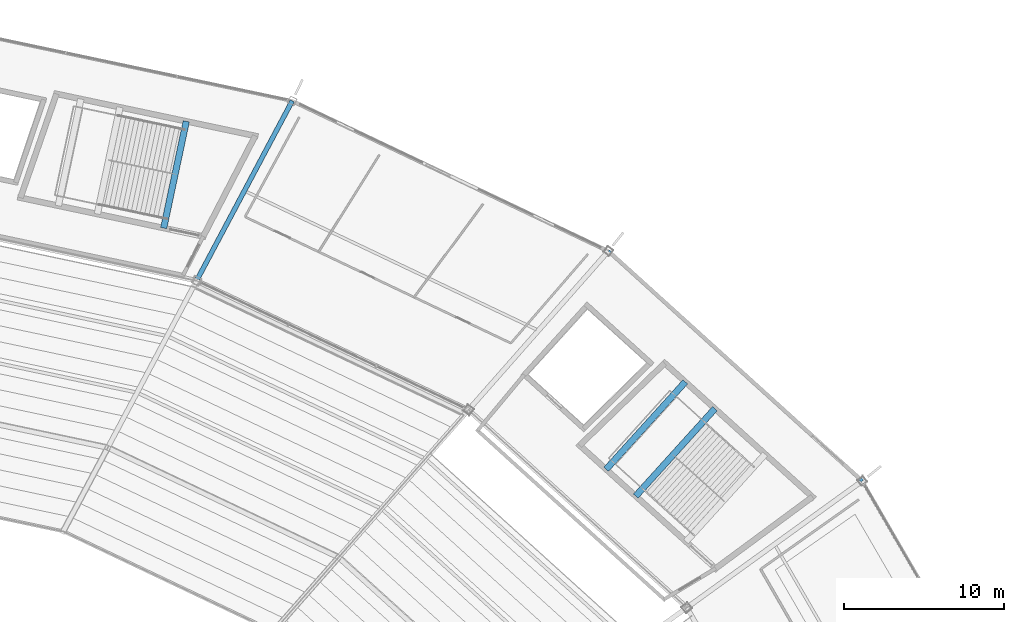
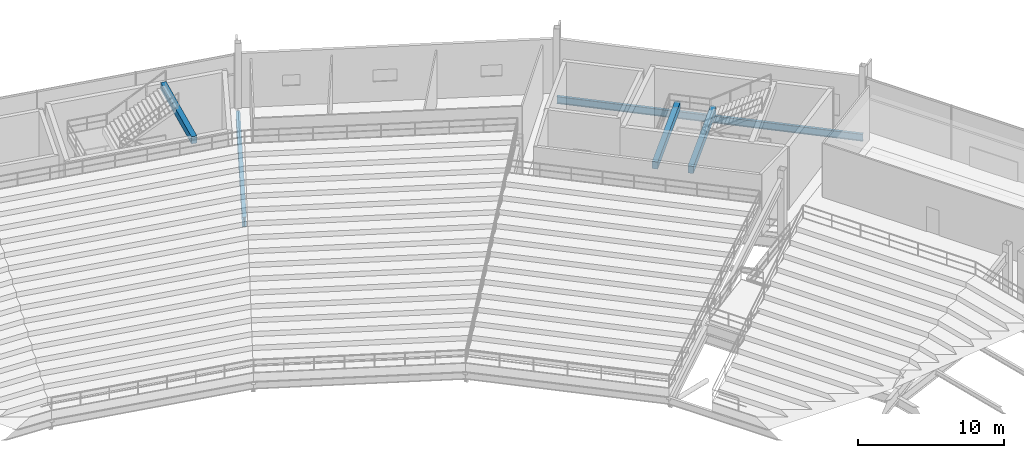
# One storey, part 116 of 186: 5 beams.
"""IFC4 building model written with IfcOpenShell, lengths in metres."""

import ifcopenshell
import ifcopenshell.guid

model = None  # the IFC model being written
_history = None  # IfcOwnerHistory: only IFC2X3 demands one
_inside = {}  # id of a spatial element -> (the spatial element, [elements in it])
_under = {}  # id of a project, library or spatial element -> (it, [spatial elements below it])
_declared = {}  # id of a project -> (the project, [libraries it declares])
_typed = {}  # id of a type object -> (the type object, [elements of that type])
_made_of = {}  # id of a material, layer set ... -> (it, [elements and type objects made of it])


def new_model(schema):
    """Start an empty IFC model of exactly this schema.

    Asked for "IFC4X3", IfcOpenShell would pick the latest addendum, in which some entities
    have other attributes; the version numbers below select the first issue.
    IFC2X3 requires an IfcOwnerHistory on every rooted entity: one is made here for all.
    """
    global model, _history
    if schema == "IFC4X3":
        model = ifcopenshell.file(schema_version=(4, 3, 0, 0))
    else:
        model = ifcopenshell.file(schema=schema)
    _inside.clear()
    _under.clear()
    _declared.clear()
    _typed.clear()
    _made_of.clear()
    _history = None
    if model.schema == "IFC2X3":
        org = make("IfcOrganization", Name="unknown")
        user = make(
            "IfcPersonAndOrganization",
            ThePerson=make("IfcPerson", FamilyName="unknown"),
            TheOrganization=org,
        )
        app = make(
            "IfcApplication",
            ApplicationDeveloper=org,
            Version="unknown",
            ApplicationFullName="unknown",
            ApplicationIdentifier="unknown",
        )
        _history = make(
            "IfcOwnerHistory",
            OwningUser=user,
            OwningApplication=app,
            ChangeAction="ADDED",
            CreationDate=0,
        )
    return model


def make(cls, **values):
    """One entity of the class cls with the attributes given. An attribute that is None is left unset."""
    return model.create_entity(
        cls, **{name: value for name, value in values.items() if value is not None}
    )


def rooted(cls, **values):
    """An entity with a GlobalId (a new one), such as an element, a storey or a relation."""
    return make(cls, GlobalId=ifcopenshell.guid.new(), OwnerHistory=_history, **values)


def si_unit(unit_type, name, prefix=None):
    """IfcSIUnit, for example si_unit("LENGTHUNIT", "METRE", prefix="MILLI")."""
    return make("IfcSIUnit", UnitType=unit_type, Prefix=prefix, Name=name)


def assignment(units):
    """IfcUnitAssignment: the units of a project."""
    return None if units is None else make("IfcUnitAssignment", Units=units)


def point(xyz):
    """IfcCartesianPoint."""
    return None if xyz is None else make("IfcCartesianPoint", Coordinates=xyz)


def direction(xyz):
    """IfcDirection."""
    return None if xyz is None else make("IfcDirection", DirectionRatios=xyz)


def frame(location, z_axis=None, x_axis=None):
    """IfcAxis2Placement3D, a coordinate frame: its origin and axes. An axis left out is left unset."""
    return make(
        "IfcAxis2Placement3D",
        Location=point(location),
        Axis=direction(z_axis),
        RefDirection=direction(x_axis),
    )


def frame_2d(location, x_axis=None):
    """IfcAxis2Placement2D, a coordinate frame in the plane: its origin and x axis."""
    return make(
        "IfcAxis2Placement2D", Location=point(location), RefDirection=direction(x_axis)
    )


def origin():
    """The frame at (0, 0, 0) with its axes left unset."""
    return frame((0.0, 0.0, 0.0))


def origin_2d():
    """The frame at (0, 0) in the plane with its x axis left unset."""
    return frame_2d((0.0, 0.0))


def place(relative_to, where):
    """IfcLocalPlacement: puts the frame where relative to a parent placement (None: the world)."""
    return make(
        "IfcLocalPlacement", PlacementRelTo=relative_to, RelativePlacement=where
    )


def context(
    kind, dimensions, precision=None, world=None, true_north=None, identifier=None
):
    """IfcGeometricRepresentationContext, for example the 3D "Model" context."""
    return make(
        "IfcGeometricRepresentationContext",
        ContextIdentifier=identifier,
        ContextType=kind,
        CoordinateSpaceDimension=dimensions,
        Precision=precision,
        WorldCoordinateSystem=world,
        TrueNorth=true_north,
    )


def subcontext(parent, identifier, kind, view, scale=None):
    """IfcGeometricRepresentationSubContext, for example "Body" below "Model"."""
    return make(
        "IfcGeometricRepresentationSubContext",
        ContextIdentifier=identifier,
        ContextType=kind,
        ParentContext=parent,
        TargetScale=scale,
        TargetView=view,
    )


def project(units=None, contexts=None):
    """IfcProject with its units and contexts."""
    return rooted(
        "IfcProject",
        Name="project",
        RepresentationContexts=contexts,
        UnitsInContext=assignment(units),
    )


def spatial(cls, under=None, at=None, **own):
    """A site, building, storey or space (cls), placed at a placement, below another one or the project."""
    s = rooted(cls, ObjectPlacement=at, **own)
    if under is not None:
        _under.setdefault(under.id(), (under, []))[1].append(s)
    return s


def profile(cls, at=None, kind="AREA", **sizes):
    """A parametric profile (cls). Its sizes go by their IFC names, for example OverallWidth=200.0."""
    return make(cls, ProfileType=kind, Position=at, **sizes)


def rectangle(**sizes):
    """IfcRectangleProfileDef."""
    return profile("IfcRectangleProfileDef", **sizes)


def i_section(**sizes):
    """IfcIShapeProfileDef."""
    return profile("IfcIShapeProfileDef", **sizes)


def extrude(swept, where, along, depth):
    """IfcExtrudedAreaSolid: the profile swept, set in the frame where, extruded along a direction by depth."""
    return make(
        "IfcExtrudedAreaSolid",
        SweptArea=swept,
        Position=where,
        ExtrudedDirection=direction(along),
        Depth=depth,
    )


def shape(context_of_items, identifier, shape_type, items):
    """IfcShapeRepresentation: the items that make up one representation, for example the "Body"."""
    return make(
        "IfcShapeRepresentation",
        ContextOfItems=context_of_items,
        RepresentationIdentifier=identifier,
        RepresentationType=shape_type,
        Items=items,
    )


def material(Name=None, Category=None):
    """IfcMaterial."""
    return make("IfcMaterial", Name=Name, Category=Category)


def material_profile(
    of_material, cross_section, Name=None, Category=None, Priority=None
):
    """IfcMaterialProfile: a cross section and its material."""
    return make(
        "IfcMaterialProfile",
        Name=Name,
        Material=of_material,
        Profile=cross_section,
        Priority=Priority,
        Category=Category,
    )


def profile_set(profiles, Name=None, composite=None):
    """IfcMaterialProfileSet."""
    return make(
        "IfcMaterialProfileSet",
        Name=Name,
        MaterialProfiles=profiles,
        CompositeProfile=composite,
    )


def made_of(thing, what):
    """Note that an element or type object is made of a material, layer set ...; save() writes the relation."""
    if what is not None:
        _made_of.setdefault(what.id(), (what, []))[1].append(thing)
    return thing


def type_object(cls, material=None, **own):
    """A type object (cls), such as IfcWallType, which elements share."""
    return made_of(rooted(cls, **own), material)


def element(
    cls,
    number,
    at=None,
    inside=None,
    cuts=None,
    type_object=None,
    material=None,
    context=None,
    identifier="Body",
    shape_type=None,
    held_by="IfcProductDefinitionShape",
    body=None,
    shapes=None,
    **own,
):
    """One element of the class cls, such as IfcWall. Its Tag is "e" and its number.

    at: its placement. inside: the storey or other place that contains it. cuts: it is an
    opening in that element (IfcRelVoidsElement). A single representation is given by context,
    identifier, shape_type and body (its items); several are given by shapes. held_by: the class
    of the entity that holds the representations. save() writes the other relations.
    """
    e = rooted(cls, Tag="e%d" % number, ObjectPlacement=at, **own)
    if body is not None:
        shapes = [shape(context, identifier, shape_type, body)]
    if shapes is not None:
        e.Representation = make(held_by, Representations=shapes)
    if inside is not None:
        _inside.setdefault(inside.id(), (inside, []))[1].append(e)
    if cuts is not None:
        rooted(
            "IfcRelVoidsElement", RelatingBuildingElement=cuts, RelatedOpeningElement=e
        )
    if type_object is not None:
        _typed.setdefault(type_object.id(), (type_object, []))[1].append(e)
    return made_of(e, material)


def aggregate(whole, parts):
    """IfcRelAggregates: a whole, such as a stair, and the parts it consists of."""
    return rooted("IfcRelAggregates", RelatingObject=whole, RelatedObjects=parts)


def save(model, path):
    """Write the relations noted so far, then the file.

    IfcRelAggregates (storeys below a building ...), IfcRelContainedInSpatialStructure (elements
    in a storey), IfcRelDefinesByType, IfcRelAssociatesMaterial and IfcRelDeclares: one each for
    every whole, place, type object, material and project.
    """
    for whole, parts in _under.values():
        aggregate(whole, parts)
    for where, things in _inside.values():
        rooted(
            "IfcRelContainedInSpatialStructure",
            RelatedElements=things,
            RelatingStructure=where,
        )
    for kind, things in _typed.values():
        rooted("IfcRelDefinesByType", RelatedObjects=things, RelatingType=kind)
    for what, things in _made_of.values():
        rooted("IfcRelAssociatesMaterial", RelatedObjects=things, RelatingMaterial=what)
    for by, libraries in _declared.values():
        rooted("IfcRelDeclares", RelatingContext=by, RelatedDefinitions=libraries)
    model.write(path)


model = new_model("IFC4")

# Units and contexts
model_context = context("Model", 3, precision=1e-05, world=origin(), true_north=direction((0.0, 1.0)))
body_context = subcontext(model_context, "Body", "Model", "MODEL_VIEW")
ifc_project = project(units=[si_unit("LENGTHUNIT", "METRE"), si_unit("AREAUNIT", "SQUARE_METRE"), si_unit("VOLUMEUNIT", "CUBIC_METRE"), si_unit("PLANEANGLEUNIT", "RADIAN"), si_unit("MASSUNIT", "GRAM", prefix="KILO")], contexts=[model_context])

# Site, building, storey
site_placement = place(None, origin())
site = spatial("IfcSite", under=ifc_project, at=site_placement, CompositionType="ELEMENT")
building_placement = place(site_placement, origin())
building = spatial("IfcBuilding", under=site, at=building_placement, Name="Kazemori Nagisa Stadium", CompositionType="ELEMENT")
storey_placement = place(building_placement, frame((0.0, 0.0, 20.39990234375)))
storey = spatial("IfcBuildingStorey", under=building, at=storey_placement, Name="L04", CompositionType="ELEMENT", Elevation=20.39990234375)

# Beams
ifc_material_1 = material(Name="Steel SN490B", Category="steel")
ifc_material_profile_1 = material_profile(ifc_material_1, i_section(OverallWidth=0.300048828125, OverallDepth=0.800048828125, WebThickness=0.013916015625, FlangeThickness=0.02587890625, FilletRadius=0.01806640625, at=origin_2d()), Name="H-800x300x14x26")
ifc_profile_set_1 = profile_set([ifc_material_profile_1], Name="Steel SN490B")
beam_type_1 = type_object("IfcBeamType", Name="Beam_BG-H800", PredefinedType="BEAM", material=ifc_profile_set_1)
beam_1_placement = place(storey_placement, frame((159.81201171875, 171.19921875, -0.699951171875), z_axis=(0.469648511848, 0.882853484628, 0.0), x_axis=(-0.882853484628, 0.469648511848, 0.0)))
element("IfcBeam", 1, at=beam_1_placement, inside=storey, type_object=beam_type_1, Name="Radial girder BG-H800 L04 R2-R3-06", PredefinedType="BEAM", context=body_context, shape_type="SweptSolid", body=[
    extrude(i_section(OverallWidth=0.300048828125, OverallDepth=0.800048828125, WebThickness=0.013916015625, FlangeThickness=0.02587890625, FilletRadius=0.01806640625, at=origin_2d()), origin(), (0.0, 0.0, 1.0), 12.760009765625),
])
ifc_material_2 = material(Name="Concrete C40/50 (Fc42)", Category="concrete")
ifc_material_profile_2 = material_profile(ifc_material_2, rectangle(XDim=0.39990234375, YDim=0.60009765625, at=origin_2d()), Name="RC-BM-400x600")
ifc_profile_set_2 = profile_set([ifc_material_profile_2], Name="Concrete C40/50 (Fc42)")
beam_type_2 = type_object("IfcBeamType", Name="Beam_BG-LND400X600", PredefinedType="BEAM", material=ifc_profile_set_2)
beam_2_placement = place(storey_placement, frame((187.307373046875, 157.717041015625, 2.22021484375), z_axis=(0.671129682405, 0.741339968837, 0.0), x_axis=(-0.741339968837, 0.671129682405, 0.0)))
element("IfcBeam", 2, at=beam_2_placement, inside=storey, type_object=beam_type_2, Name="Core stair mid-landing girder ST01-L04-1", PredefinedType="BEAM", context=body_context, shape_type="SweptSolid", body=[
    extrude(rectangle(XDim=0.39990234375, YDim=0.60009765625, at=origin_2d()), origin(), (0.0, 0.0, 1.0), 7.3857421875),
])
beam_3_placement = place(storey_placement, frame((185.4541015625, 159.394775390625, 2.22021484375), z_axis=(0.671113236271, 0.74135485707, 0.0), x_axis=(-0.74135485707, 0.671113236271, 0.0)))
element("IfcBeam", 3, at=beam_3_placement, inside=storey, type_object=beam_type_2, Name="Core stair mid-landing girder ST01-L04-2", PredefinedType="BEAM", context=body_context, shape_type="SweptSolid", body=[
    extrude(rectangle(XDim=0.39990234375, YDim=0.60009765625, at=origin_2d()), origin(), (0.0, 0.0, 1.0), 7.385986328125),
])
beam_4_placement = place(storey_placement, frame((157.754638671875, 174.499267578125, 4.880126953125), z_axis=(0.206963195966, 0.97834872899, 0.0), x_axis=(-0.97834872899, 0.206963195966, 0.0)))
element("IfcBeam", 4, at=beam_4_placement, inside=storey, type_object=beam_type_2, Name="Core stair arrival header girder ST11-L04", PredefinedType="BEAM", context=body_context, shape_type="SweptSolid", body=[
    extrude(rectangle(XDim=0.39990234375, YDim=0.60009765625, at=origin_2d()), origin(), (0.0, 0.0, 1.0), 6.831298828125),
])
ifc_material_profile_3 = material_profile(ifc_material_1, i_section(OverallWidth=0.199951171875, OverallDepth=0.60009765625, WebThickness=0.010986328125, FlangeThickness=0.01708984375, FilletRadius=0.012939453125, at=origin_2d()), Name="H-600x200x11x17")
ifc_profile_set_3 = profile_set([ifc_material_profile_3], Name="Steel SN490B")
beam_type_3 = type_object("IfcBeamType", Name="Beam_BS-H600", PredefinedType="SPANDREL", material=ifc_profile_set_3)
beam_5_placement = place(storey_placement, frame((201.495361328125, 158.667724609375, -0.599853515625), z_axis=(-0.741351531326, 0.671116910084, 0.0), x_axis=(-0.671116910084, -0.741351531326, 0.0)))
element("IfcBeam", 5, at=beam_5_placement, inside=storey, type_object=beam_type_3, Name="Ring girder BS-H600 L04 R3-04", PredefinedType="SPANDREL", context=body_context, shape_type="SweptSolid", body=[
    extrude(i_section(OverallWidth=0.199951171875, OverallDepth=0.60009765625, WebThickness=0.010986328125, FlangeThickness=0.01708984375, FilletRadius=0.012939453125, at=origin_2d()), origin(), (0.0, 0.0, 1.0), 21.44384765625),
])

save(model, "model.ifc")
